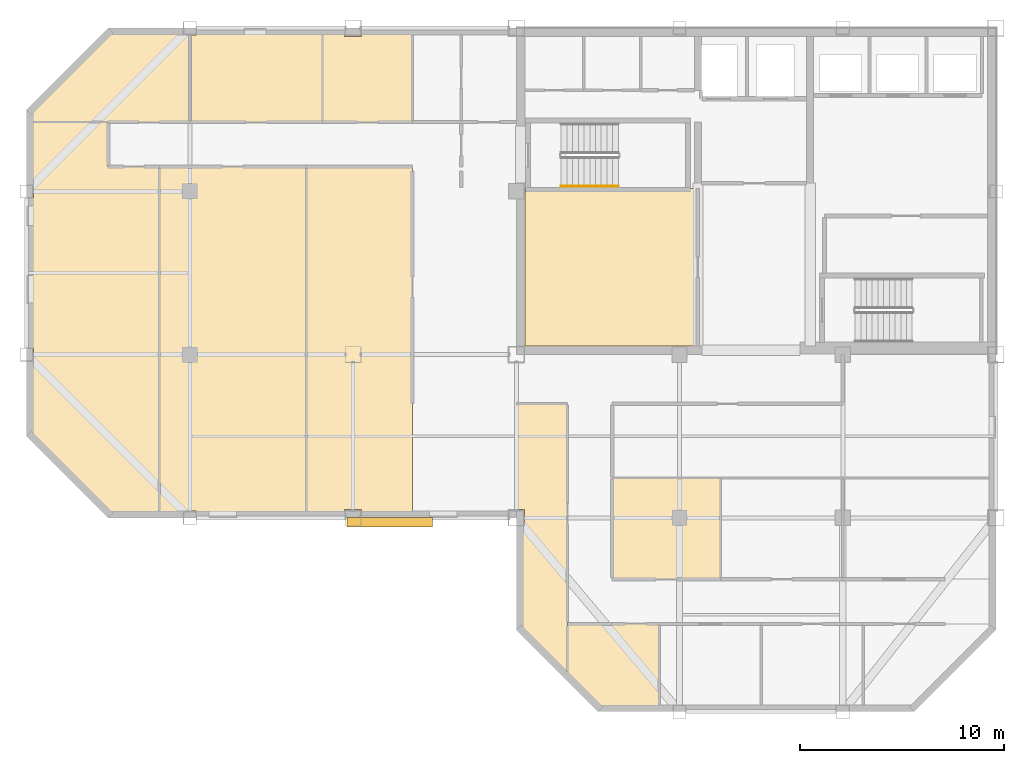
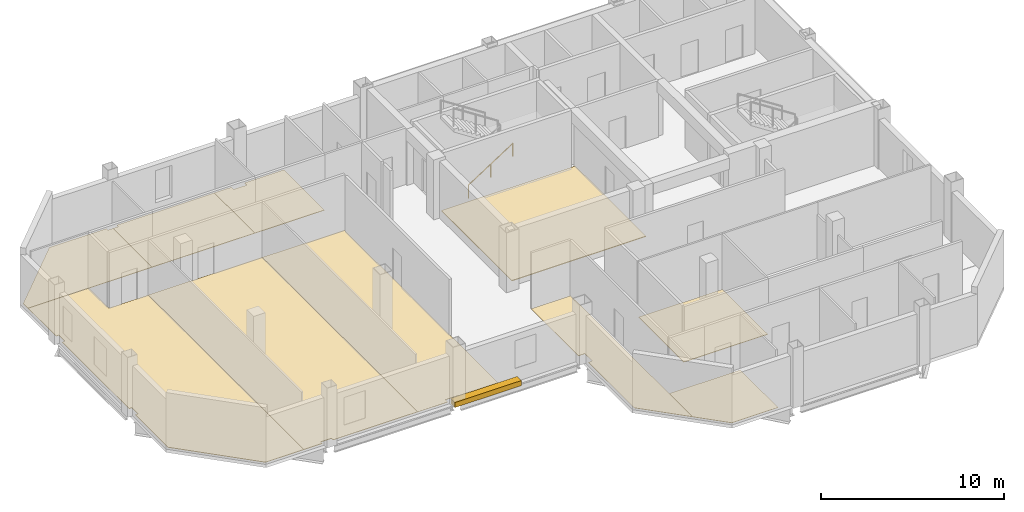
# One storey, part 5 of 7: 10 coverings, 1 railing, 1 shading device.
"""IFC4 building model written with IfcOpenShell, lengths in metres."""

from ifc_helpers import new_model, si_unit, direction, frame, origin, origin_2d, place, context, subcontext, project, spatial, polyline, rectangle, circle, outline, extrude, material, layer, layer_set, type_object, element, save


model = new_model("IFC4")

# Units and contexts
model_context = context("Model", 3, precision=1e-05, world=origin(), true_north=direction((0.0, 1.0)))
body_context = subcontext(model_context, "Body", "Model", "MODEL_VIEW")
ifc_project = project(units=[si_unit("LENGTHUNIT", "METRE"), si_unit("AREAUNIT", "SQUARE_METRE"), si_unit("VOLUMEUNIT", "CUBIC_METRE"), si_unit("PLANEANGLEUNIT", "RADIAN"), si_unit("MASSUNIT", "GRAM", prefix="KILO")], contexts=[model_context])

# Site, building, storey
site_placement = place(None, origin())
site = spatial("IfcSite", under=ifc_project, at=site_placement, CompositionType="ELEMENT")
building_placement = place(site_placement, origin())
building = spatial("IfcBuilding", under=site, at=building_placement, Name="Qianrong Seaharbour Tower", CompositionType="ELEMENT")
storey_placement = place(building_placement, frame((0.0, 0.0, 351.199951171875)))
storey = spatial("IfcBuildingStorey", under=building, at=storey_placement, Name="L85", CompositionType="ELEMENT", Elevation=351.199951171875)

# Coverings
ifc_material_1 = material(Name="Acoustic modular carpet tile flooring")
ifc_layer_1 = layer(ifc_material_1, 0.02001953125)
ifc_layer_set_1 = layer_set([ifc_layer_1], Name="Acoustic modular carpet tile flooring")
covering_type_1 = type_object("IfcCoveringType", Name="COV-FLOOR-CARPET-20", PredefinedType="FLOORING", material=ifc_layer_set_1)
covering_1_placement = place(storey_placement, origin())
element("IfcCovering", 1, at=covering_1_placement, inside=storey, type_object=covering_type_1, Name="L85 VIP Client Lounge 3 Finish Flooring", PredefinedType="FLOORING", context=body_context, shape_type="SweptSolid", body=[
    extrude(outline(polyline([(32.909912109375, 28.1650390625), (32.909912109375, 28.409912109375), (32.090087890625, 28.409912109375), (32.090087890625, 28.1650390625), (30.199951171875, 28.1650390625), (30.199951171875, 45.199951171875), (35.39990234375, 45.199951171875), (35.39990234375, 28.1650390625), (32.909912109375, 28.1650390625)])), origin(), (0.0, 0.0, 1.0), 0.02001953125),
])
covering_2_placement = place(storey_placement, origin())
element("IfcCovering", 2, at=covering_2_placement, inside=storey, type_object=covering_type_1, Name="L85 Wet Pantry 1 Finish Flooring", PredefinedType="FLOORING", context=body_context, shape_type="SweptSolid", body=[
    extrude(outline(polyline([(43.0, 20.2333984375), (40.6650390625, 22.568359375), (40.6650390625, 27.590087890625), (40.909912109375, 27.590087890625), (40.909912109375, 28.409912109375), (40.5, 28.409912109375), (40.5, 33.60009765625), (43.0, 33.60009765625), (43.0, 20.2333984375)])), origin(), (0.0, 0.0, 1.0), 0.02001953125),
])
covering_3_placement = place(storey_placement, origin())
element("IfcCovering", 3, at=covering_3_placement, inside=storey, type_object=covering_type_1, Name="L85 Harbour Trade Lounge 1 Finish Flooring", PredefinedType="FLOORING", context=body_context, shape_type="SweptSolid", body=[
    extrude(outline(polyline([(47.5, 18.6650390625), (44.568359375, 18.6650390625), (43.0, 20.2333984375), (43.0, 22.800048828125), (47.5, 22.800048828125), (47.5, 18.6650390625)])), origin(), (0.0, 0.0, 1.0), 0.02001953125),
])
ifc_material_2 = material(Name="Honed granite stone flooring", Category="masonry")
ifc_layer_2 = layer(ifc_material_2, 0.030029296875)
ifc_layer_set_2 = layer_set([ifc_layer_2], Name="Honed granite stone flooring")
covering_type_2 = type_object("IfcCoveringType", Name="COV-FLOOR-GRANITE-30", PredefinedType="FLOORING", material=ifc_layer_set_2)
covering_4_placement = place(storey_placement, origin())
element("IfcCovering", 4, at=covering_4_placement, inside=storey, type_object=covering_type_2, Name="L85 Chartering Model Showroom 1 Finish Flooring", PredefinedType="FLOORING", context=body_context, shape_type="SweptSolid", body=[
    extrude(outline(polyline([(50.5, 29.949951171875), (50.5, 25.0), (45.199951171875, 25.0), (45.199951171875, 29.949951171875), (50.5, 29.949951171875)])), origin(), (0.0, 0.0, 1.0), 0.030029296875),
])
covering_5_placement = place(storey_placement, origin())
element("IfcCovering", 5, at=covering_5_placement, inside=storey, type_object=covering_type_2, Name="L85 Vessel Model Showroom 1 Finish Flooring", PredefinedType="FLOORING", context=body_context, shape_type="SweptSolid", body=[
    extrude(outline(polyline([(16.6650390625, 47.931640625), (20.568359375, 51.8349609375), (24.1650390625, 51.8349609375), (24.1650390625, 51.6650390625), (24.5, 51.6650390625), (24.5, 47.39990234375), (16.6650390625, 47.39990234375), (16.6650390625, 47.931640625)])), origin(), (0.0, 0.0, 1.0), 0.030029296875),
])
covering_6_placement = place(storey_placement, origin())
element("IfcCovering", 6, at=covering_6_placement, inside=storey, type_object=covering_type_2, Name="L85 Navigation Systems Showroom 2 Finish Flooring", PredefinedType="FLOORING", context=body_context, shape_type="SweptSolid", body=[
    extrude(outline(polyline([(24.5, 51.6650390625), (24.8349609375, 51.6650390625), (24.8349609375, 51.8349609375), (31.0, 51.8349609375), (31.0, 47.39990234375), (24.5, 47.39990234375), (24.5, 51.6650390625)])), origin(), (0.0, 0.0, 1.0), 0.030029296875),
])
covering_7_placement = place(storey_placement, origin())
element("IfcCovering", 7, at=covering_7_placement, inside=storey, type_object=covering_type_2, Name="L85 Marine Propulsion Showroom 3 Finish Flooring", PredefinedType="FLOORING", context=body_context, shape_type="SweptSolid", body=[
    extrude(outline(polyline([(31.0, 51.8349609375), (32.090087890625, 51.8349609375), (32.090087890625, 51.590087890625), (32.909912109375, 51.590087890625), (32.909912109375, 51.8349609375), (35.39990234375, 51.8349609375), (35.39990234375, 47.39990234375), (31.0, 47.39990234375), (31.0, 51.8349609375)])), origin(), (0.0, 0.0, 1.0), 0.030029296875),
])
covering_8_placement = place(storey_placement, origin())
element("IfcCovering", 8, at=covering_8_placement, inside=storey, type_object=covering_type_2, Name="L85 Cargo Systems Showroom 1 Finish Flooring", PredefinedType="FLOORING", context=body_context, shape_type="SweptSolid", body=[
    extrude(outline(polyline([(20.568359375, 28.1650390625), (16.6650390625, 32.068359375), (16.6650390625, 35.6650390625), (16.8349609375, 35.6650390625), (16.8349609375, 36.3349609375), (16.6650390625, 36.3349609375), (16.6650390625, 43.6650390625), (16.8349609375, 43.6650390625), (16.8349609375, 44.3349609375), (16.6650390625, 44.3349609375), (16.6650390625, 47.39990234375), (20.5, 47.39990234375), (20.5, 45.199951171875), (23.0, 45.199951171875), (23.0, 28.1650390625), (20.568359375, 28.1650390625)])), origin(), (0.0, 0.0, 1.0), 0.030029296875),
])
covering_9_placement = place(storey_placement, origin())
element("IfcCovering", 9, at=covering_9_placement, inside=storey, type_object=covering_type_2, Name="L85 Fleet Logistics Showroom 2 Finish Flooring", PredefinedType="FLOORING", context=body_context, shape_type="SweptSolid", body=[
    extrude(outline(polyline([(24.8349609375, 28.1650390625), (24.8349609375, 28.3349609375), (24.1650390625, 28.3349609375), (24.1650390625, 28.1650390625), (23.0, 28.1650390625), (23.0, 45.199951171875), (30.199951171875, 45.199951171875), (30.199951171875, 28.1650390625), (24.8349609375, 28.1650390625)])), origin(), (0.0, 0.0, 1.0), 0.030029296875),
])
ifc_material_3 = material(Name="Calcium-sulphate raised access floor tile")
ifc_layer_3 = layer(ifc_material_3, 0.044921875)
ifc_layer_set_3 = layer_set([ifc_layer_3], Name="Calcium-sulphate raised access floor tile")
covering_type_3 = type_object("IfcCoveringType", Name="COV-FLOOR-RAISED-45", PredefinedType="FLOORING", material=ifc_layer_set_3)
covering_10_placement = place(storey_placement, origin())
element("IfcCovering", 10, at=covering_10_placement, inside=storey, type_object=covering_type_3, Name="L85 Data Systems Office Finish Flooring", PredefinedType="FLOORING", context=body_context, shape_type="SweptSolid", body=[
    extrude(outline(polyline([(49.39990234375, 44.14990234375), (49.39990234375, 36.419921875), (40.919921875, 36.419921875), (40.919921875, 44.14990234375), (49.39990234375, 44.14990234375)])), origin(), (0.0, 0.0, 1.0), 0.045166015625),
])

# Railing
ifc_material_4 = material(Name="Stainless steel SUS316L continuous handrail", Category="steel")
railing_type = type_object("IfcRailingType", Name="RAIL-STAIR-HANDRAIL-900", PredefinedType="HANDRAIL", material=ifc_material_4)
railing_placement = place(storey_placement, frame((42.699951171875, 44.25, 0.181884765625)))
element("IfcRailing", 11, at=railing_placement, inside=storey, type_object=railing_type, Name="L85 ST-1 stair handrail 1", PredefinedType="HANDRAIL", context=body_context, shape_type="SweptSolid", body=[
    extrude(circle(Radius=0.02392578125, at=origin_2d()), frame((0.0, 0.0, 0.8759765625), z_axis=(0.838705829183, 0.0, 0.544584733623), x_axis=(0.0, 1.0, 0.0)), (0.0, 0.0, 1.0), 3.338623046875),
    extrude(circle(Radius=0.02099609375, at=origin_2d()), origin(), (0.0, 0.0, 1.0), 0.851806640625),
    extrude(circle(Radius=0.02099609375, at=origin_2d()), frame((1.39990234375, 0.0, 0.9091796875)), (0.0, 0.0, 1.0), 0.851806640625),
    extrude(circle(Radius=0.02099609375, at=origin_2d()), frame((2.800048828125, 0.0, 1.818115234375)), (0.0, 0.0, 1.0), 0.851806640625),
])

# Shading device
ifc_material_5 = material(Name="White architectural precast concrete C45/55", Category="concrete")
shading_device_type = type_object("IfcShadingDeviceType", Name="SHD-SUNSHADE-WHITE-320", PredefinedType="AWNING", material=ifc_material_5)
shading_device_placement = place(storey_placement, frame((34.300048828125, 27.780029296875, -0.02001953125), z_axis=(0.0, 0.0, 1.0), x_axis=(1.0, 0.0, 0.0)))
element("IfcShadingDevice", 12, at=shading_device_placement, inside=storey, type_object=shading_device_type, Name="L85 Climbing White Precast Ribbon Canopy Fin", PredefinedType="AWNING", context=body_context, shape_type="SweptSolid", body=[
    extrude(rectangle(XDim=4.199951171875, YDim=0.4599609375, at=origin_2d()), origin(), (0.0, 0.0, 1.0), 0.340087890625),
])

save(model, "model.ifc")
